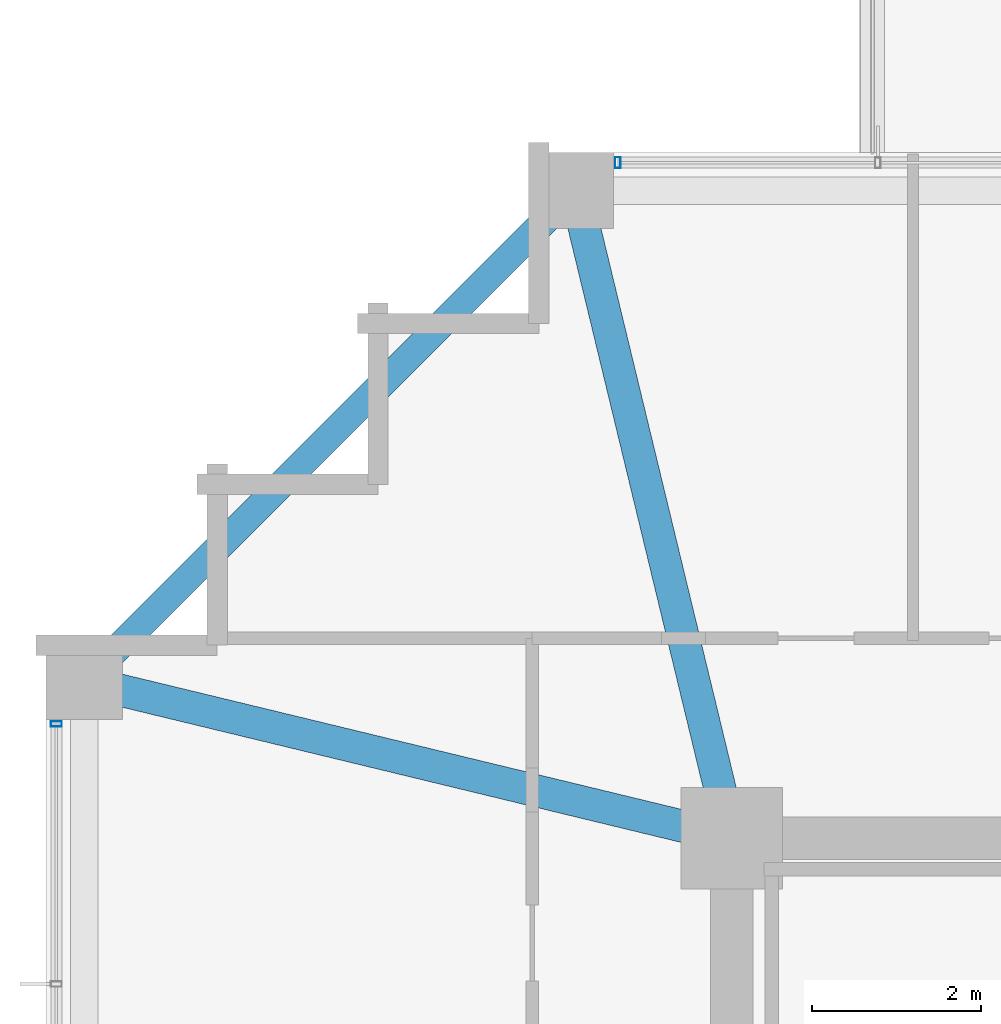
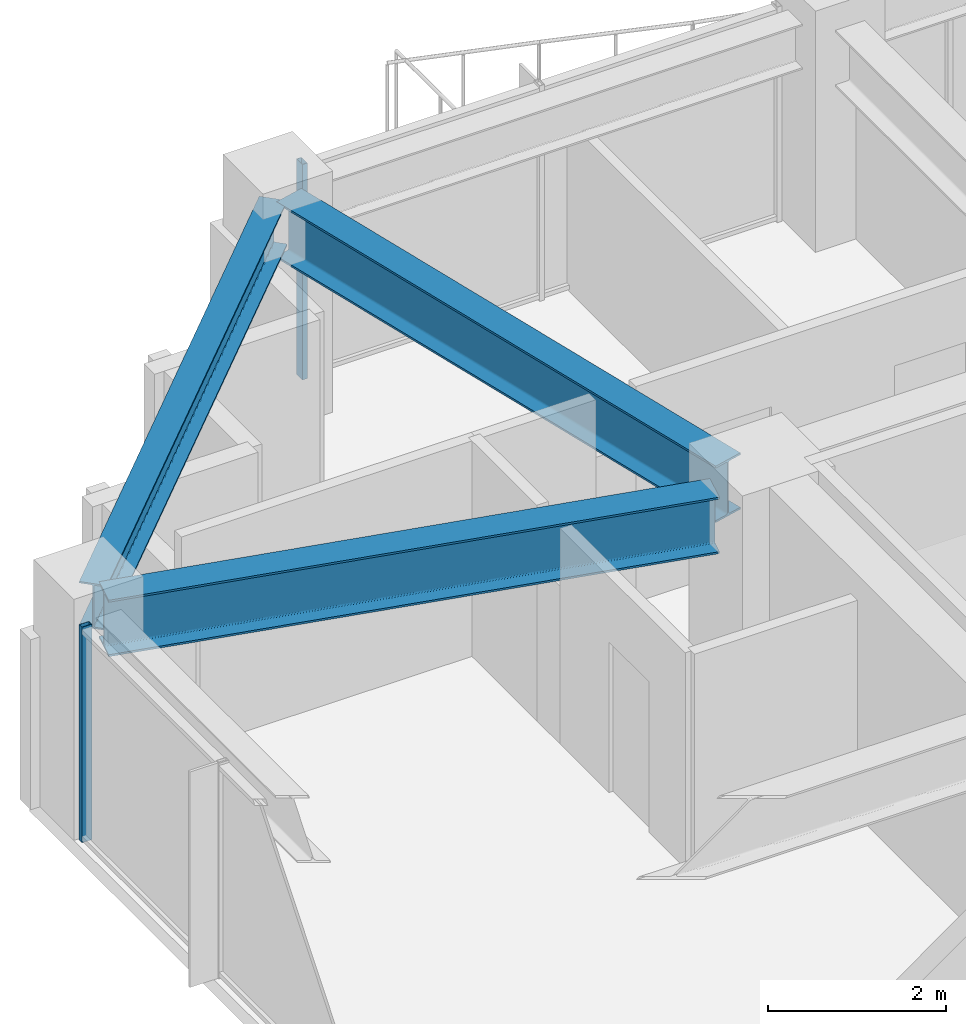
# One storey, part 16 of 31: 3 beams, 2 members, 2 elements without a shape of their own.
"""IFC4 building model written with IfcOpenShell, lengths in metres."""

from ifc_helpers import new_model, si_unit, direction, frame, origin, origin_2d, place, context, subcontext, project, spatial, hollow_rectangle, i_section, extrude, material, material_profile, profile_set, type_object, element, aggregate, save


model = new_model("IFC4")

# Units and contexts
model_context = context("Model", 3, precision=1e-05, world=origin(), true_north=direction((0.0, 1.0)))
body_context = subcontext(model_context, "Body", "Model", "MODEL_VIEW")
ifc_project = project(units=[si_unit("LENGTHUNIT", "METRE"), si_unit("AREAUNIT", "SQUARE_METRE"), si_unit("VOLUMEUNIT", "CUBIC_METRE"), si_unit("PLANEANGLEUNIT", "RADIAN"), si_unit("MASSUNIT", "GRAM", prefix="KILO")], contexts=[model_context])

# Site, building, storey
site_placement = place(None, origin())
site = spatial("IfcSite", under=ifc_project, at=site_placement, CompositionType="ELEMENT")
building_placement = place(site_placement, origin())
building = spatial("IfcBuilding", under=site, at=building_placement, Name="Kolvaren Belvedere", CompositionType="ELEMENT")
storey_placement = place(building_placement, frame((0.0, 0.0, 144.800048828125)))
storey = spatial("IfcBuildingStorey", under=building, at=storey_placement, Name="L42", CompositionType="ELEMENT", Elevation=144.800048828125)

# Beams
ifc_material_1 = material(Name="Structural steel ASTM A992 Grade 50", Category="steel")
ifc_material_profile_1 = material_profile(ifc_material_1, i_section(OverallWidth=0.381103515625, OverallDepth=0.77294921875, WebThickness=0.0166015625, FlangeThickness=0.027099609375, FilletRadius=0.02392578125, at=origin_2d()), Name="W30X173")
ifc_profile_set_1 = profile_set([ifc_material_profile_1], Name="Structural steel ASTM A992 Grade 50")
beam_type_1 = type_object("IfcBeamType", Name="BM-GIRD-W30X173", PredefinedType="BEAM", material=ifc_profile_set_1)
for number, where, z_axis, x_axis, name in (
    (1, (-10.029296875, 10.4345703125, 2.5634765625), (-0.235062749937, 0.971980197119, 0.0), (-0.971980197119, -0.235062749937, 0.0), "L42 Corner Core-to-Perimeter Girder CC4-N1"),
    (2, (-10.4345703125, 10.029296875, 2.5634765625), (-0.971980197119, 0.235062749937, 0.0), (-0.235062749937, -0.971980197119, 0.0), "L42 Corner Core-to-Perimeter Girder CC4-W4"),
):
    element("IfcBeam", number, at=place(storey_placement, frame(where, z_axis=z_axis, x_axis=x_axis)), inside=storey, type_object=beam_type_1, Name=name, PredefinedType="BEAM", context=body_context, shape_type="SweptSolid", body=[
        extrude(i_section(OverallWidth=0.381103515625, OverallDepth=0.77294921875, WebThickness=0.0166015625, FlangeThickness=0.027099609375, FilletRadius=0.02392578125, at=origin_2d()), origin(), (0.0, 0.0, 1.0), 7.140625),
    ])
ifc_material_2 = material(Name="Structural steel ASTM A992 Grade 50", Category="steel")
ifc_material_profile_2 = material_profile(ifc_material_2, i_section(OverallWidth=0.324951171875, OverallDepth=0.615966796875, WebThickness=0.013916015625, FlangeThickness=0.021484375, FilletRadius=0.02001953125, at=origin_2d()), Name="W24X117")
ifc_profile_set_2 = profile_set([ifc_material_profile_2], Name="Structural steel ASTM A992 Grade 50")
beam_type_2 = type_object("IfcBeamType", Name="BM-SPAN-W24X117", PredefinedType="SPANDREL", material=ifc_profile_set_2)
beam_placement = place(storey_placement, frame((-11.893310546875, 17.40673828125, 2.641845703125), z_axis=(-0.707106781187, -0.707106781187, 0.0), x_axis=(0.707106781187, -0.707106781187, 0.0)))
element("IfcBeam", 3, at=beam_placement, inside=storey, type_object=beam_type_2, Name="L42 Perimeter Spandrel N1-W4", PredefinedType="SPANDREL", context=body_context, shape_type="SweptSolid", body=[
    extrude(i_section(OverallWidth=0.324951171875, OverallDepth=0.615966796875, WebThickness=0.013916015625, FlangeThickness=0.021484375, FilletRadius=0.02001953125, at=origin_2d()), origin(), (0.0, 0.0, 1.0), 7.797119140625),
])

# Curtain wall, member
ifc_material_3 = material(Name="Anodised pale-metal aluminium AA 6063-T6", Category="aluminium")
curtain_wall_type = type_object("IfcCurtainWallType", Name="CW-Z3-WAIST", PredefinedType="NOTDEFINED", material=ifc_material_3)
curtain_wall_1_placement = place(storey_placement, origin())
curtain_wall_1 = element("IfcCurtainWall", 4, at=curtain_wall_1_placement, inside=storey, type_object=curtain_wall_type, Name="L42 Unitised Curtain Wall FCW-L42-N1-B1", PredefinedType="NOTDEFINED")
ifc_material_4 = material(Name="Anodised pale-metal aluminium AA 6063-T6", Category="aluminium")
ifc_material_profile_3 = material_profile(ifc_material_4, hollow_rectangle(XDim=0.06494140625, YDim=0.1298828125, WallThickness=0.00390625, at=origin_2d()), Name="ALU-MUL-130X65")
ifc_profile_set_3 = profile_set([ifc_material_profile_3], Name="Anodised pale-metal aluminium AA 6063-T6")
member_type = type_object("IfcMemberType", Name="CW-MUL-130", PredefinedType="MULLION", material=ifc_profile_set_3)
member_1_placement = place(storey_placement, frame((-11.24755859375, 17.8798828125, 0.0), z_axis=(0.0, 0.0, 1.0), x_axis=(1.0, 0.0, 0.0)))
member_1 = element("IfcMember", 5, at=member_1_placement, type_object=member_type, Name="FCW-L42-N1-B1 Unitised Mullion 1", PredefinedType="MULLION", context=body_context, shape_type="SweptSolid", body=[
    extrude(hollow_rectangle(XDim=0.06494140625, YDim=0.1298828125, WallThickness=0.00390625, at=origin_2d()), origin(), (0.0, 0.0, 1.0), 2.949951171875),
])
aggregate(curtain_wall_1, [member_1])

curtain_wall_2_placement = place(storey_placement, origin())
curtain_wall_2 = element("IfcCurtainWall", 6, at=curtain_wall_2_placement, inside=storey, type_object=curtain_wall_type, Name="L42 Unitised Curtain Wall FCW-L42-W-B3", PredefinedType="NOTDEFINED")
member_2_placement = place(storey_placement, frame((-17.8798828125, 11.24755859375, 0.0), z_axis=(0.0, 0.0, 1.0), x_axis=(0.0, 1.0, 0.0)))
member_2 = element("IfcMember", 7, at=member_2_placement, type_object=member_type, Name="FCW-L42-W-B3 Unitised Mullion 3", PredefinedType="MULLION", context=body_context, shape_type="SweptSolid", body=[
    extrude(hollow_rectangle(XDim=0.06494140625, YDim=0.1298828125, WallThickness=0.00390625, at=origin_2d()), origin(), (0.0, 0.0, 1.0), 2.949951171875),
])
aggregate(curtain_wall_2, [member_2])

save(model, "model.ifc")
